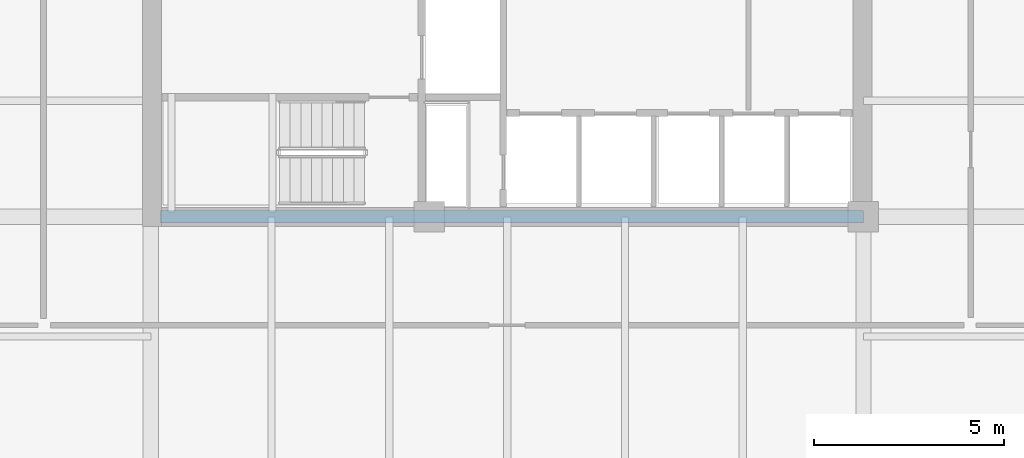
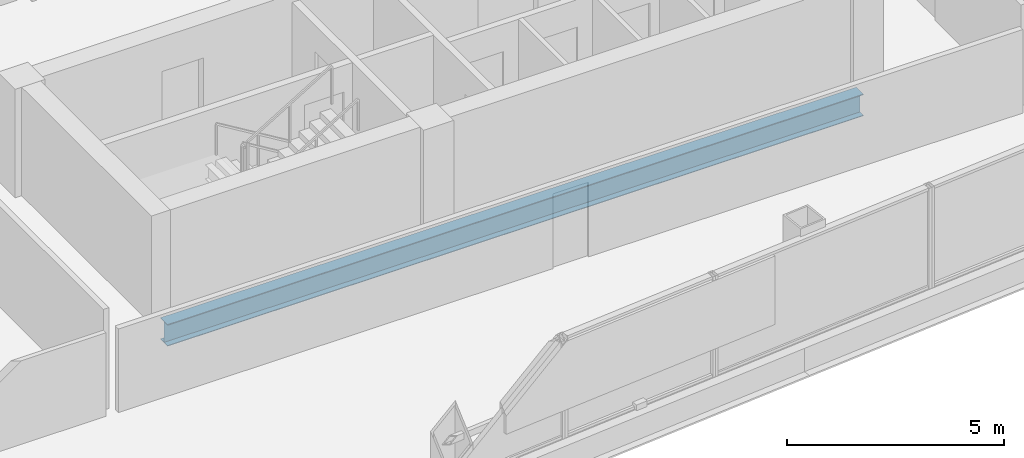
# One storey, part 7 of 28: 1 beam.
"""IFC4 building model written with IfcOpenShell, lengths in metres."""

from ifc_helpers import new_model, si_unit, direction, frame, origin, origin_2d, place, context, subcontext, project, spatial, i_section, extrude, material, material_profile, profile_set, type_object, element, save


model = new_model("IFC4")

# Units and contexts
model_context = context("Model", 3, precision=1e-05, world=origin(), true_north=direction((0.0, 1.0)))
body_context = subcontext(model_context, "Body", "Model", "MODEL_VIEW")
ifc_project = project(units=[si_unit("LENGTHUNIT", "METRE"), si_unit("AREAUNIT", "SQUARE_METRE"), si_unit("VOLUMEUNIT", "CUBIC_METRE"), si_unit("PLANEANGLEUNIT", "RADIAN"), si_unit("MASSUNIT", "GRAM", prefix="KILO")], contexts=[model_context])

# Site, building, storey
site_placement = place(None, origin())
site = spatial("IfcSite", under=ifc_project, at=site_placement, CompositionType="ELEMENT")
building_placement = place(site_placement, origin())
building = spatial("IfcBuilding", under=site, at=building_placement, Name="Qhalaya Broadcast Tower", CompositionType="ELEMENT")
storey_placement = place(building_placement, frame((0.0, 0.0, 159.199951171875)))
storey = spatial("IfcBuildingStorey", under=building, at=storey_placement, Name="L46", CompositionType="ELEMENT", Elevation=159.199951171875)

# Beam
ifc_material = material(Name="Structural Steel ASTM A992 Grade 50", Category="steel")
ifc_material_profile = material_profile(ifc_material, i_section(OverallWidth=0.323974609375, OverallDepth=0.612060546875, WebThickness=0.0126953125, FlangeThickness=0.01904296875, at=origin_2d()), Name="W24X104")
ifc_profile_set = profile_set([ifc_material_profile], Name="Structural Steel ASTM A992 Grade 50")
beam_type = type_object("IfcBeamType", Name="Core Frame Tie Beam B04", PredefinedType="BEAM", material=ifc_profile_set)
beam_placement = place(storey_placement, frame((-9.1201171875, -8.75, -0.52587890625), z_axis=(1.0, 0.0, 0.0), x_axis=(0.0, 1.0, 0.0)))
element("IfcBeam", 1, at=beam_placement, inside=storey, type_object=beam_type, Name="L46 B04 L46-CCS3", PredefinedType="BEAM", context=body_context, shape_type="SweptSolid", body=[
    extrude(i_section(OverallWidth=0.323974609375, OverallDepth=0.612060546875, WebThickness=0.0126953125, FlangeThickness=0.01904296875, at=origin_2d()), origin(), (0.0, 0.0, 1.0), 18.4951171875),
])

save(model, "model.ifc")
